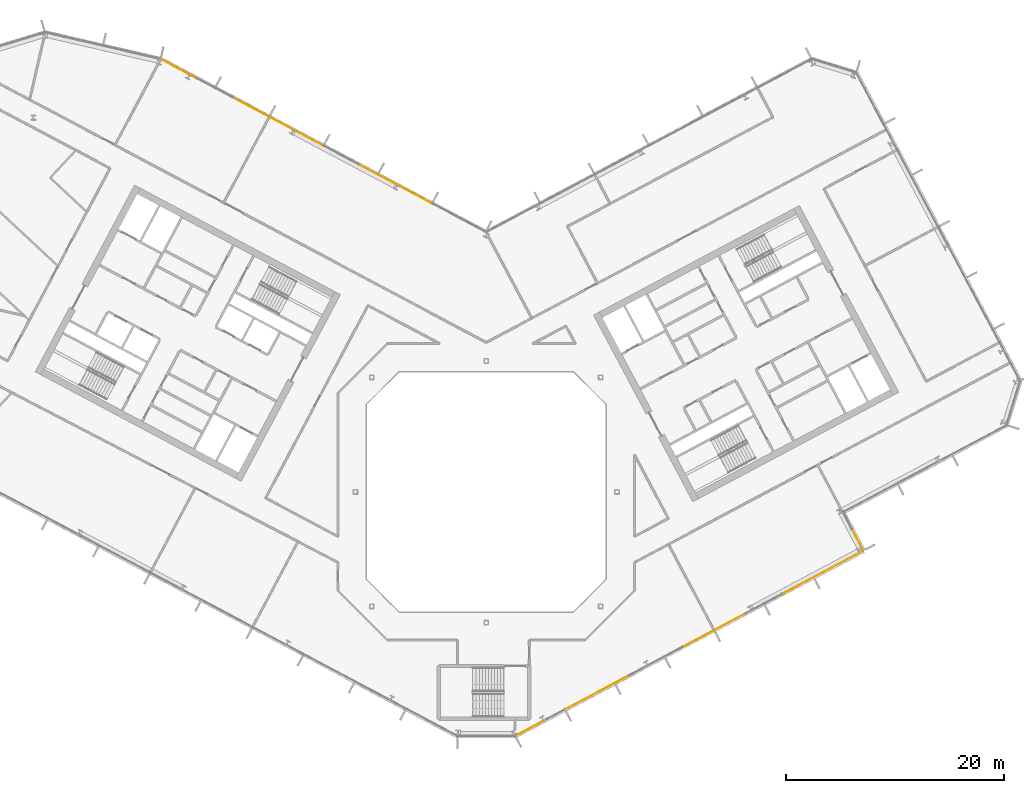
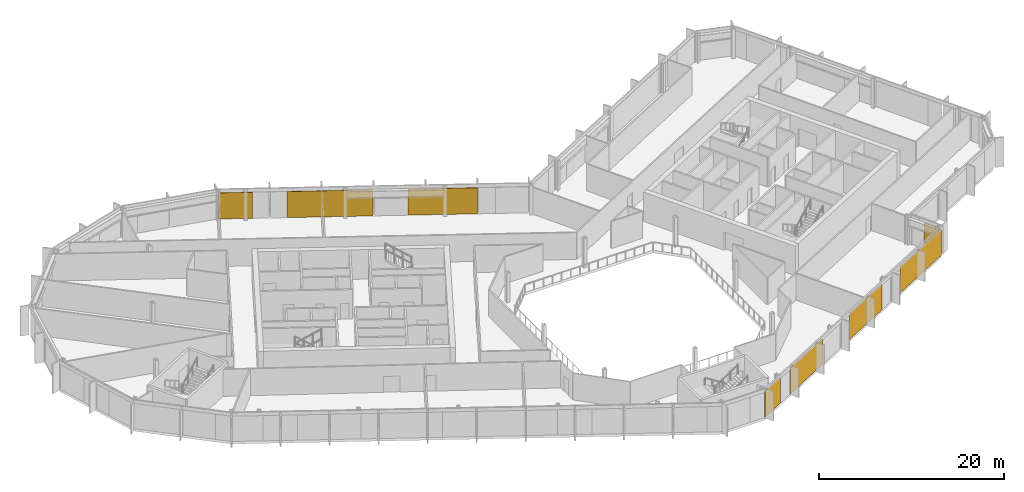
# One storey, part 24 of 27: 8 coverings, 3 elements without a shape of their own.
"""IFC4 building model written with IfcOpenShell, lengths in metres."""

from ifc_helpers import new_model, si_unit, direction, frame, origin, origin_2d, place, context, subcontext, project, spatial, rectangle, extrude, material, layer, layer_set, type_object, element, aggregate, save


model = new_model("IFC4")

# Units and contexts
model_context = context("Model", 3, precision=1e-05, world=origin(), true_north=direction((0.0, 1.0)))
body_context = subcontext(model_context, "Body", "Model", "MODEL_VIEW")
ifc_project = project(units=[si_unit("LENGTHUNIT", "METRE"), si_unit("AREAUNIT", "SQUARE_METRE"), si_unit("VOLUMEUNIT", "CUBIC_METRE"), si_unit("PLANEANGLEUNIT", "RADIAN"), si_unit("MASSUNIT", "GRAM", prefix="KILO")], contexts=[model_context])

# Site, building, storey
site_placement = place(None, origin())
site = spatial("IfcSite", under=ifc_project, at=site_placement, CompositionType="ELEMENT")
building_placement = place(site_placement, origin())
building = spatial("IfcBuilding", under=site, at=building_placement, Name="Cormorant Relay Tower", CompositionType="ELEMENT")
storey_placement = place(building_placement, frame((0.0, 0.0, 216.89990234375)))
storey = spatial("IfcBuildingStorey", under=building, at=storey_placement, Name="L47", CompositionType="ELEMENT", Elevation=216.89990234375)

# Curtain wall, coverings
ifc_material_1 = material(Name="Aluminium 6063-T6 anodised bronze", Category="aluminium")
ifc_layer_1 = layer(ifc_material_1, 0.199951171875)
ifc_layer_set_1 = layer_set([ifc_layer_1], Name="CW1 unitised bronze curtain wall with vertical fins")
curtain_wall_type = type_object("IfcCurtainWallType", Name="CW1 unitised bronze curtain wall with vertical fins", PredefinedType="NOTDEFINED", material=ifc_layer_set_1)
curtain_wall_1_placement = place(storey_placement, origin())
curtain_wall_1 = element("IfcCurtainWall", 1, at=curtain_wall_1_placement, inside=storey, type_object=curtain_wall_type, Name="CW1 curtain wall 2", PredefinedType="NOTDEFINED")
ifc_material_2 = material(Name="Pale bronze anodised aluminium insulated panel", Category="aluminium")
ifc_layer_2 = layer(ifc_material_2, 0.0400390625)
ifc_layer_set_2 = layer_set([ifc_layer_2], Name="CW1 pale bronze insulated panel 40")
covering_type = type_object("IfcCoveringType", Name="CW1 pale bronze insulated panel 40", PredefinedType="CLADDING", material=ifc_layer_set_2)
covering_1_placement = place(storey_placement, frame((4.14453125, -21.60302734375, 0.0), z_axis=(0.0, 0.0, 1.0), x_axis=(0.882947592859, 0.469471562786, 0.0)))
covering_1 = element("IfcCovering", 2, at=covering_1_placement, type_object=covering_type, Name="CW1 panel S00", PredefinedType="CLADDING", context=body_context, shape_type="SweptSolid", body=[
    extrude(rectangle(XDim=3.216552734375, YDim=0.0400390625, at=origin_2d()), origin(), (0.0, 0.0, 1.0), 3.449951171875),
])
covering_2_placement = place(storey_placement, frame((10.1923828125, -18.38720703125, 0.0), z_axis=(0.0, 0.0, 1.0), x_axis=(0.882947592859, 0.469471562786, 0.0)))
covering_2 = element("IfcCovering", 3, at=covering_2_placement, type_object=covering_type, Name="CW1 panel S02", PredefinedType="CLADDING", context=body_context, shape_type="SweptSolid", body=[
    extrude(rectangle(XDim=6.5830078125, YDim=0.0400390625, at=origin_2d()), origin(), (0.0, 0.0, 1.0), 3.449951171875),
])
covering_3_placement = place(storey_placement, frame((20.905517578125, -12.69091796875, 0.0), z_axis=(0.0, 0.0, 1.0), x_axis=(0.882947592859, 0.469471562786, 0.0)))
covering_3 = element("IfcCovering", 4, at=covering_3_placement, type_object=covering_type, Name="CW1 panel S05", PredefinedType="CLADDING", context=body_context, shape_type="SweptSolid", body=[
    extrude(rectangle(XDim=6.5830078125, YDim=0.0400390625, at=origin_2d()), origin(), (0.0, 0.0, 1.0), 3.449951171875),
])
covering_4_placement = place(storey_placement, frame((30.856689453125, -7.39990234375, 0.0), z_axis=(0.0, 0.0, 1.0), x_axis=(0.882947592859, 0.469471562786, 0.0)))
covering_4 = element("IfcCovering", 5, at=covering_4_placement, type_object=covering_type, Name="CW1 panel S08", PredefinedType="CLADDING", context=body_context, shape_type="SweptSolid", body=[
    extrude(rectangle(XDim=8.4580078125, YDim=0.0400390625, at=origin_2d()), origin(), (0.0, 0.0, 1.0), 3.449951171875),
])
aggregate(curtain_wall_1, [covering_1, covering_2, covering_3, covering_4])

# Curtain wall, covering
curtain_wall_2_placement = place(storey_placement, origin())
curtain_wall_2 = element("IfcCurtainWall", 6, at=curtain_wall_2_placement, inside=storey, type_object=curtain_wall_type, Name="CW1 curtain wall 3", PredefinedType="NOTDEFINED")
covering_5_placement = place(storey_placement, frame((34.065185546875, -4.383056640625, 0.0), z_axis=(0.0, 0.0, 1.0), x_axis=(-0.469471562786, 0.882947592859, 0.0)))
covering_5 = element("IfcCovering", 7, at=covering_5_placement, type_object=covering_type, Name="CW1 panel S00", PredefinedType="CLADDING", context=body_context, shape_type="SweptSolid", body=[
    extrude(rectangle(XDim=2.125, YDim=0.0400390625, at=origin_2d()), origin(), (0.0, 0.0, 1.0), 3.449951171875),
])
aggregate(curtain_wall_2, [covering_5])

# Curtain wall, coverings
curtain_wall_3_placement = place(storey_placement, origin())
curtain_wall_3 = element("IfcCurtainWall", 8, at=curtain_wall_3_placement, inside=storey, type_object=curtain_wall_type, Name="CW1 curtain wall 9", PredefinedType="NOTDEFINED")
covering_6_placement = place(storey_placement, frame((-8.359130859375, 28.251220703125, 0.0), z_axis=(0.0, 0.0, 1.0), x_axis=(-0.882947592859, 0.469471562786, 0.0)))
covering_6 = element("IfcCovering", 9, at=covering_6_placement, type_object=covering_type, Name="CW1 panel S02", PredefinedType="CLADDING", context=body_context, shape_type="SweptSolid", body=[
    extrude(rectangle(XDim=7.528076171875, YDim=0.0400390625, at=origin_2d()), origin(), (0.0, 0.0, 1.0), 3.449951171875),
])
covering_7_placement = place(storey_placement, frame((-19.11181640625, 33.968505859375, 0.0), z_axis=(0.0, 0.0, 1.0), x_axis=(-0.882947592859, 0.469471562786, 0.0)))
covering_7 = element("IfcCovering", 10, at=covering_7_placement, type_object=covering_type, Name="CW1 panel S04", PredefinedType="CLADDING", context=body_context, shape_type="SweptSolid", body=[
    extrude(rectangle(XDim=9.327880859375, YDim=0.0400390625, at=origin_2d()), origin(), (0.0, 0.0, 1.0), 3.449951171875),
])
covering_8_placement = place(storey_placement, frame((-28.20263671875, 38.80224609375, 0.0), z_axis=(0.0, 0.0, 1.0), x_axis=(-0.882947592859, 0.469471562786, 0.0)))
covering_8 = element("IfcCovering", 11, at=covering_8_placement, type_object=covering_type, Name="CW1 panel S07", PredefinedType="CLADDING", context=body_context, shape_type="SweptSolid", body=[
    extrude(rectangle(XDim=3.763916015625, YDim=0.0400390625, at=origin_2d()), origin(), (0.0, 0.0, 1.0), 3.449951171875),
])
aggregate(curtain_wall_3, [covering_6, covering_7, covering_8])

save(model, "model.ifc")
